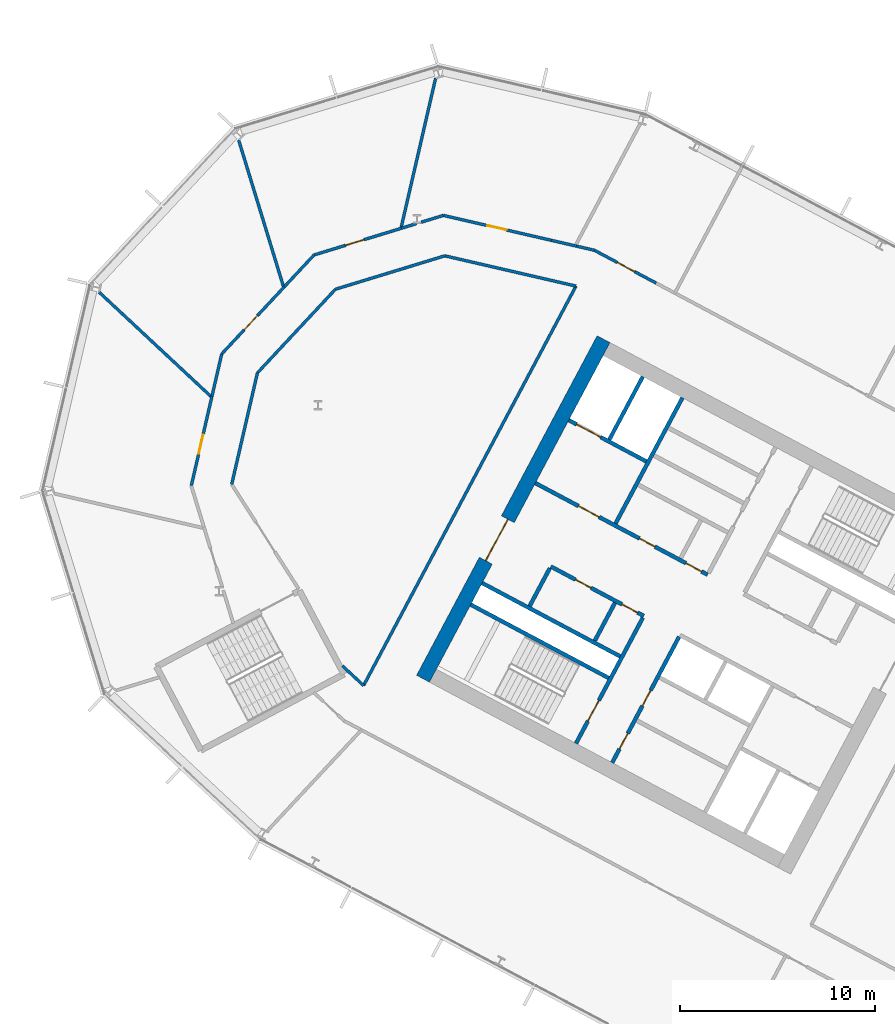
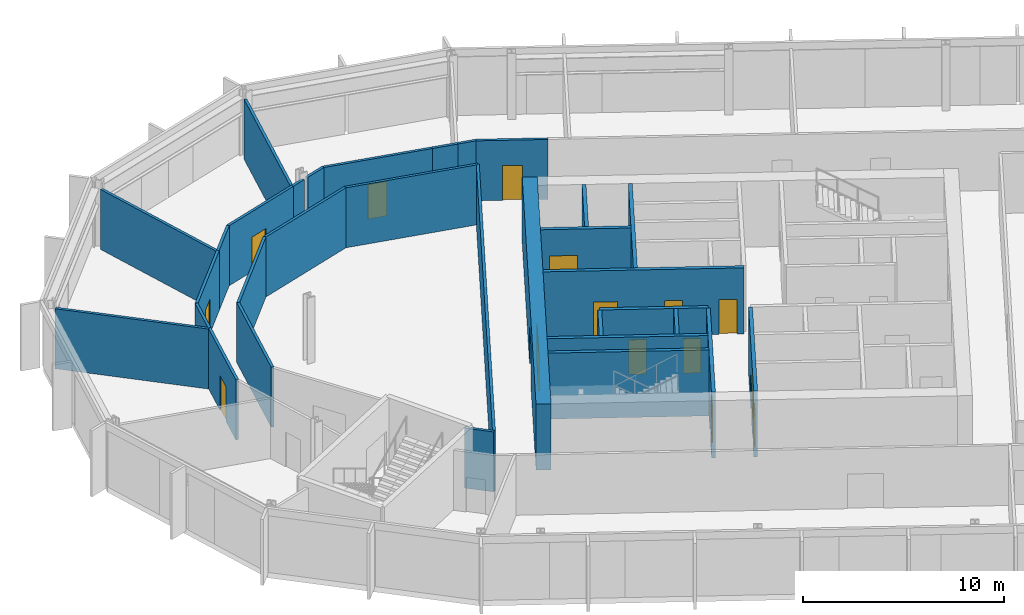
# One storey, part 14 of 28: 32 walls, 15 doors, 15 openings.
"""IFC4 building model written with IfcOpenShell, lengths in metres."""

from ifc_helpers import new_model, si_unit, direction, frame, frame_2d, origin, place, context, subcontext, project, spatial, rectangle, extrude, material, layer, layer_set, type_object, element, fill, save


model = new_model("IFC4")

# Units and contexts
model_context = context("Model", 3, precision=1e-05, world=origin(), true_north=direction((0.0, 1.0)))
body_context = subcontext(model_context, "Body", "Model", "MODEL_VIEW")
ifc_project = project(units=[si_unit("LENGTHUNIT", "METRE"), si_unit("AREAUNIT", "SQUARE_METRE"), si_unit("VOLUMEUNIT", "CUBIC_METRE"), si_unit("PLANEANGLEUNIT", "RADIAN"), si_unit("MASSUNIT", "GRAM", prefix="KILO")], contexts=[model_context])

# Site, building, storey
site_placement = place(None, origin())
site = spatial("IfcSite", under=ifc_project, at=site_placement, CompositionType="ELEMENT")
building_placement = place(site_placement, origin())
building = spatial("IfcBuilding", under=site, at=building_placement, Name="Cormorant Relay Tower", CompositionType="ELEMENT")
storey_placement = place(building_placement, frame((0.0, 0.0, 170.199951171875)))
storey = spatial("IfcBuildingStorey", under=building, at=storey_placement, Name="L36", CompositionType="ELEMENT", Elevation=170.199951171875)

# Wall
ifc_material_1 = material(Name="Concrete 40 MPa", Category="concrete")
ifc_layer_1 = layer(ifc_material_1, 0.199951171875)
ifc_layer_set_1 = layer_set([ifc_layer_1], Name="Core internal wall 200")
wall_type_1 = type_object("IfcWallType", Name="Core internal wall 200", PredefinedType="SOLIDWALL", material=ifc_layer_set_1)
wall_1_placement = place(storey_placement, frame((-31.41259765625, 14.663818359375, 0.0), z_axis=(0.0, 0.0, 1.0), x_axis=(-0.469533832133, -0.882914480843, 0.0)))
element("IfcWall", 1, at=wall_1_placement, inside=storey, type_object=wall_type_1, Name="L36 core A shaft and room wall", PredefinedType="SOLIDWALL", context=body_context, shape_type="SweptSolid", body=[
    extrude(rectangle(XDim=2.199951171875, YDim=0.199951171875, at=frame_2d((1.10009765625, 0.0))), origin(), (0.0, 0.0, 1.0), 4.0),
])

# Wall, openings, doors
ifc_material_2 = material(Name="Concrete 50 MPa", Category="concrete")
ifc_layer_2 = layer(ifc_material_2, 0.199951171875)
ifc_layer_set_2 = layer_set([ifc_layer_2], Name="Core shaft wall 200")
wall_type_2 = type_object("IfcWallType", Name="Core shaft wall 200", PredefinedType="SHEAR", material=ifc_layer_set_2)
wall_2_placement = place(storey_placement, frame((-28.128173828125, 12.91748046875, 0.0), z_axis=(0.0, 0.0, 1.0), x_axis=(-0.469454336211, -0.882956752176, 0.0)))
wall_2 = element("IfcWall", 2, at=wall_2_placement, inside=storey, type_object=wall_type_2, Name="L36 core A shaft wall", PredefinedType="SHEAR", context=body_context, shape_type="SweptSolid", body=[
    extrude(rectangle(XDim=7.300048828125, YDim=0.199951171875, at=frame_2d((3.64990234375, 0.0))), origin(), (0.0, 0.0, 1.0), 4.0),
])
opening_1_placement = place(wall_2_placement, frame((3.10009765625, 0.0, 0.0)))
opening_1 = element("IfcOpeningElement", 3, at=opening_1_placement, cuts=wall_2, Name="Opening CDD-210", PredefinedType="OPENING", context=body_context, shape_type="SweptSolid", body=[
    extrude(rectangle(XDim=0.89990234375, YDim=2.10009765625, at=frame_2d((0.449951171875, 1.050048828125))), frame((0.0, 0.10986328125, 0.0), z_axis=(0.0, -1.0, 0.0), x_axis=(1.0, 0.0, 0.0)), (0.0, 0.0, 1.0), 0.219970703125),
])
opening_2_placement = place(wall_2_placement, frame((5.60009765625, 0.0, 0.0)))
opening_2 = element("IfcOpeningElement", 4, at=opening_2_placement, cuts=wall_2, Name="Opening CDD-211", PredefinedType="OPENING", context=body_context, shape_type="SweptSolid", body=[
    extrude(rectangle(XDim=0.89990234375, YDim=2.10009765625, at=frame_2d((0.449951171875, 1.050048828125))), frame((0.0, 0.10986328125, 0.0), z_axis=(0.0, -1.0, 0.0), x_axis=(1.0, 0.0, 0.0)), (0.0, 0.0, 1.0), 0.219970703125),
])
ifc_material_3 = material(Name="Steel fire door", Category="steel")
door_type_1 = type_object("IfcDoorType", Name="Core room door 900x2100", OperationType="SINGLE_SWING_LEFT", PredefinedType="DOOR", material=ifc_material_3)
door_1_placement = place(opening_1_placement, origin())
door_1 = element("IfcDoor", 5, at=door_1_placement, inside=storey, type_object=door_type_1, Name="Core room door 900x2100", OperationType="SINGLE_SWING_LEFT", OverallHeight=2.10009765625, OverallWidth=0.89990234375, PredefinedType="DOOR", context=body_context, shape_type="SweptSolid", body=[
    extrude(rectangle(XDim=0.89990234375, YDim=2.10009765625, at=frame_2d((0.449951171875, 1.050048828125))), frame((0.0, 0.02490234375, 0.0), z_axis=(0.0, -1.0, 0.0), x_axis=(1.0, 0.0, 0.0)), (0.0, 0.0, 1.0), 0.050048828125),
])
fill(opening_1, door_1)
door_2_placement = place(opening_2_placement, origin())
door_2 = element("IfcDoor", 6, at=door_2_placement, inside=storey, type_object=door_type_1, Name="Core room door 900x2100", OperationType="SINGLE_SWING_LEFT", OverallHeight=2.10009765625, OverallWidth=0.89990234375, PredefinedType="DOOR", context=body_context, shape_type="SweptSolid", body=[
    extrude(rectangle(XDim=0.89990234375, YDim=2.10009765625, at=frame_2d((0.449951171875, 1.050048828125))), frame((0.0, 0.02490234375, 0.0), z_axis=(0.0, -1.0, 0.0), x_axis=(1.0, 0.0, 0.0)), (0.0, 0.0, 1.0), 0.050048828125),
])
fill(opening_2, door_2)

# Wall, opening, door
wall_3_placement = place(storey_placement, frame((-29.982421875, 13.9033203125, 0.0), z_axis=(0.0, 0.0, 1.0), x_axis=(-0.469454336211, -0.882956752176, 0.0)))
wall_3 = element("IfcWall", 7, at=wall_3_placement, inside=storey, type_object=wall_type_2, Name="L36 core A shaft wall", PredefinedType="SHEAR", context=body_context, shape_type="SweptSolid", body=[
    extrude(rectangle(XDim=7.300048828125, YDim=0.199951171875, at=frame_2d((3.64990234375, 0.0))), origin(), (0.0, 0.0, 1.0), 4.0),
])
opening_3_placement = place(wall_3_placement, frame((4.800048828125, 0.0, 0.0)))
opening_3 = element("IfcOpeningElement", 8, at=opening_3_placement, cuts=wall_3, Name="Opening CDB-035", PredefinedType="OPENING", context=body_context, shape_type="SweptSolid", body=[
    extrude(rectangle(XDim=1.199951171875, YDim=2.10009765625, at=frame_2d((0.60009765625, 1.050048828125))), frame((0.0, 0.10986328125, 0.0), z_axis=(0.0, -1.0, 0.0), x_axis=(1.0, 0.0, 0.0)), (0.0, 0.0, 1.0), 0.219970703125),
])
ifc_material_4 = material(Name="Steel fire door", Category="steel")
door_type_2 = type_object("IfcDoorType", Name="Core stair door 1200x2100", OperationType="SINGLE_SWING_LEFT", PredefinedType="DOOR", material=ifc_material_4)
door_3_placement = place(opening_3_placement, frame((1.199951171875, 0.0, 0.0), z_axis=(0.0, 0.0, 1.0), x_axis=(-1.0, 0.0, 0.0)))
door_3 = element("IfcDoor", 9, at=door_3_placement, inside=storey, type_object=door_type_2, Name="Core stair door 1200x2100", OperationType="SINGLE_SWING_RIGHT", OverallHeight=2.10009765625, OverallWidth=1.199951171875, PredefinedType="DOOR", context=body_context, shape_type="SweptSolid", body=[
    extrude(rectangle(XDim=1.199951171875, YDim=2.10009765625, at=frame_2d((0.60009765625, 1.050048828125))), frame((0.0, 0.02490234375, 0.0), z_axis=(0.0, -1.0, 0.0), x_axis=(1.0, 0.0, 0.0)), (0.0, 0.0, 1.0), 0.050048828125),
])
fill(opening_3, door_3)

# Walls
wall_4_placement = place(storey_placement, frame((-27.955322265625, 25.170654296875, 0.0), z_axis=(0.0, 0.0, 1.0), x_axis=(-0.469480409012, -0.88294288918, 0.0)))
element("IfcWall", 10, at=wall_4_placement, inside=storey, type_object=wall_type_2, Name="L36 core A shaft wall", PredefinedType="SHEAR", context=body_context, shape_type="SweptSolid", body=[
    extrude(rectangle(XDim=7.300048828125, YDim=0.199951171875, at=frame_2d((3.64990234375, 0.0))), origin(), (0.0, 0.0, 1.0), 4.0),
])
wall_5_placement = place(storey_placement, frame((-34.750244140625, 16.4384765625, 0.0), z_axis=(0.0, 0.0, 1.0), x_axis=(-0.469401318492, -0.882984938828, 0.0)))
element("IfcWall", 11, at=wall_5_placement, inside=storey, type_object=wall_type_2, Name="L36 core A shaft wall", PredefinedType="SHEAR", context=body_context, shape_type="SweptSolid", body=[
    extrude(rectangle(XDim=2.199951171875, YDim=0.199951171875, at=frame_2d((1.10009765625, 0.0))), origin(), (0.0, 0.0, 1.0), 4.0),
])
wall_6_placement = place(storey_placement, frame((-29.986083984375, 26.250244140625, 0.0), z_axis=(0.0, 0.0, 1.0), x_axis=(-0.469494272526, -0.882935517501, 0.0)))
element("IfcWall", 12, at=wall_6_placement, inside=storey, type_object=wall_type_2, Name="L36 core A shaft wall", PredefinedType="SHEAR", context=body_context, shape_type="SweptSolid", body=[
    extrude(rectangle(XDim=3.64990234375, YDim=0.199951171875, at=frame_2d((1.824951171875, 0.0))), origin(), (0.0, 0.0, 1.0), 4.0),
])

# Wall, opening, door
wall_7_placement = place(storey_placement, frame((-29.80419921875, 21.906494140625, 0.0), z_axis=(0.0, 0.0, 1.0), x_axis=(-0.882960433586, 0.469447412093, 0.0)))
wall_7 = element("IfcWall", 13, at=wall_7_placement, inside=storey, type_object=wall_type_2, Name="L36 core A shaft wall", PredefinedType="SHEAR", context=body_context, shape_type="SweptSolid", body=[
    extrude(rectangle(XDim=4.5, YDim=0.199951171875, at=frame_2d((2.25, 0.0))), origin(), (0.0, 0.0, 1.0), 4.0),
])
opening_4_placement = place(wall_7_placement, frame((2.64990234375, 0.0, 0.0)))
opening_4 = element("IfcOpeningElement", 14, at=opening_4_placement, cuts=wall_7, Name="Opening LD3-013", PredefinedType="OPENING", context=body_context, shape_type="SweptSolid", body=[
    extrude(rectangle(XDim=1.39990234375, YDim=2.39990234375, at=frame_2d((0.699951171875, 1.199951171875))), frame((0.0, 0.10986328125, 0.0), z_axis=(0.0, -1.0, 0.0), x_axis=(1.0, 0.0, 0.0)), (0.0, 0.0, 1.0), 0.219970703125),
])
ifc_material_5 = material(Name="Stainless steel 316", Category="steel")
door_type_3 = type_object("IfcDoorType", Name="Lift landing door 1400x2400", OperationType="DOUBLE_DOOR_SLIDING", PredefinedType="DOOR", material=ifc_material_5)
door_4_placement = place(opening_4_placement, origin())
door_4 = element("IfcDoor", 15, at=door_4_placement, inside=storey, type_object=door_type_3, Name="SV1 landing door", OperationType="DOUBLE_DOOR_SLIDING", OverallHeight=2.39990234375, OverallWidth=1.39990234375, PredefinedType="DOOR", context=body_context, shape_type="SweptSolid", body=[
    extrude(rectangle(XDim=1.39990234375, YDim=2.39990234375, at=frame_2d((0.699951171875, 1.199951171875))), frame((0.0, 0.02490234375, 0.0), z_axis=(0.0, -1.0, 0.0), x_axis=(1.0, 0.0, 0.0)), (0.0, 0.0, 1.0), 0.050048828125),
])
fill(opening_4, door_4)

# Wall, openings, doors
wall_8_placement = place(storey_placement, frame((-26.66162109375, 16.1015625, 0.0), z_axis=(0.0, 0.0, 1.0), x_axis=(-0.882940221191, 0.469485426614, 0.0)))
wall_8 = element("IfcWall", 16, at=wall_8_placement, inside=storey, type_object=wall_type_2, Name="L36 core A shaft wall", PredefinedType="SHEAR", context=body_context, shape_type="SweptSolid", body=[
    extrude(rectangle(XDim=10.0, YDim=0.199951171875, at=frame_2d((5.0, 0.0))), origin(), (0.0, 0.0, 1.0), 4.0),
])
opening_5_placement = place(wall_8_placement, frame((6.300048828125, 0.0, 0.0)))
opening_5 = element("IfcOpeningElement", 17, at=opening_5_placement, cuts=wall_8, Name="Opening CDC-026", PredefinedType="OPENING", context=body_context, shape_type="SweptSolid", body=[
    extrude(rectangle(XDim=1.199951171875, YDim=2.10009765625, at=frame_2d((0.60009765625, 1.050048828125))), frame((0.0, 0.10986328125, 0.0), z_axis=(0.0, -1.0, 0.0), x_axis=(1.0, 0.0, 0.0)), (0.0, 0.0, 1.0), 0.219970703125),
])
opening_6_placement = place(wall_8_placement, frame((0.360107421875, 0.0, 0.0)))
opening_6 = element("IfcOpeningElement", 18, at=opening_6_placement, cuts=wall_8, Name="Opening CDD-170", PredefinedType="OPENING", context=body_context, shape_type="SweptSolid", body=[
    extrude(rectangle(XDim=0.89990234375, YDim=2.10009765625, at=frame_2d((0.449951171875, 1.050048828125))), frame((0.0, 0.10986328125, 0.0), z_axis=(0.0, -1.0, 0.0), x_axis=(1.0, 0.0, 0.0)), (0.0, 0.0, 1.0), 0.219970703125),
])
opening_7_placement = place(wall_8_placement, frame((3.06005859375, 0.0, 0.0)))
opening_7 = element("IfcOpeningElement", 19, at=opening_7_placement, cuts=wall_8, Name="Opening CDD-171", PredefinedType="OPENING", context=body_context, shape_type="SweptSolid", body=[
    extrude(rectangle(XDim=0.89990234375, YDim=2.10009765625, at=frame_2d((0.449951171875, 1.050048828125))), frame((0.0, 0.10986328125, 0.0), z_axis=(0.0, -1.0, 0.0), x_axis=(1.0, 0.0, 0.0)), (0.0, 0.0, 1.0), 0.219970703125),
])
ifc_material_6 = material(Name="Steel fire door", Category="steel")
door_type_4 = type_object("IfcDoorType", Name="Core lobby door 1200x2100", OperationType="SINGLE_SWING_LEFT", PredefinedType="DOOR", material=ifc_material_6)
door_5_placement = place(opening_5_placement, origin())
door_5 = element("IfcDoor", 20, at=door_5_placement, inside=storey, type_object=door_type_4, Name="Core lobby door 1200x2100", OperationType="SINGLE_SWING_LEFT", OverallHeight=2.10009765625, OverallWidth=1.199951171875, PredefinedType="DOOR", context=body_context, shape_type="SweptSolid", body=[
    extrude(rectangle(XDim=1.199951171875, YDim=2.10009765625, at=frame_2d((0.60009765625, 1.050048828125))), frame((0.0, 0.02490234375, 0.0), z_axis=(0.0, -1.0, 0.0), x_axis=(1.0, 0.0, 0.0)), (0.0, 0.0, 1.0), 0.050048828125),
])
fill(opening_5, door_5)
door_6_placement = place(opening_6_placement, origin())
door_6 = element("IfcDoor", 21, at=door_6_placement, inside=storey, type_object=door_type_1, Name="Core room door 900x2100", OperationType="SINGLE_SWING_LEFT", OverallHeight=2.10009765625, OverallWidth=0.89990234375, PredefinedType="DOOR", context=body_context, shape_type="SweptSolid", body=[
    extrude(rectangle(XDim=0.89990234375, YDim=2.10009765625, at=frame_2d((0.449951171875, 1.050048828125))), frame((0.0, 0.02490234375, 0.0), z_axis=(0.0, -1.0, 0.0), x_axis=(1.0, 0.0, 0.0)), (0.0, 0.0, 1.0), 0.050048828125),
])
fill(opening_6, door_6)
door_7_placement = place(opening_7_placement, origin())
door_7 = element("IfcDoor", 22, at=door_7_placement, inside=storey, type_object=door_type_1, Name="Core room door 900x2100", OperationType="SINGLE_SWING_LEFT", OverallHeight=2.10009765625, OverallWidth=0.89990234375, PredefinedType="DOOR", context=body_context, shape_type="SweptSolid", body=[
    extrude(rectangle(XDim=0.89990234375, YDim=2.10009765625, at=frame_2d((0.449951171875, 1.050048828125))), frame((0.0, 0.02490234375, 0.0), z_axis=(0.0, -1.0, 0.0), x_axis=(1.0, 0.0, 0.0)), (0.0, 0.0, 1.0), 0.050048828125),
])
fill(opening_7, door_7)

wall_9_placement = place(storey_placement, frame((-29.935302734375, 13.991455078125, 0.0), z_axis=(0.0, 0.0, 1.0), x_axis=(-0.882952937579, 0.469461510692, 0.0)))
wall_9 = element("IfcWall", 23, at=wall_9_placement, inside=storey, type_object=wall_type_2, Name="L36 core A shaft wall", PredefinedType="SHEAR", context=body_context, shape_type="SweptSolid", body=[
    extrude(rectangle(XDim=5.400146484375, YDim=0.199951171875, at=frame_2d((2.7001953125, 0.0))), origin(), (0.0, 0.0, 1.0), 4.0),
])
opening_8_placement = place(wall_9_placement, frame((0.360107421875, 0.0, 0.0)))
opening_8 = element("IfcOpeningElement", 24, at=opening_8_placement, cuts=wall_9, Name="Opening CDD-166", PredefinedType="OPENING", context=body_context, shape_type="SweptSolid", body=[
    extrude(rectangle(XDim=0.89990234375, YDim=2.10009765625, at=frame_2d((0.449951171875, 1.050048828125))), frame((0.0, 0.10986328125, 0.0), z_axis=(0.0, -1.0, 0.0), x_axis=(1.0, 0.0, 0.0)), (0.0, 0.0, 1.0), 0.219970703125),
])
opening_9_placement = place(wall_9_placement, frame((3.06005859375, 0.0, 0.0)))
opening_9 = element("IfcOpeningElement", 25, at=opening_9_placement, cuts=wall_9, Name="Opening CDD-167", PredefinedType="OPENING", context=body_context, shape_type="SweptSolid", body=[
    extrude(rectangle(XDim=0.89990234375, YDim=2.10009765625, at=frame_2d((0.449951171875, 1.050048828125))), frame((0.0, 0.10986328125, 0.0), z_axis=(0.0, -1.0, 0.0), x_axis=(1.0, 0.0, 0.0)), (0.0, 0.0, 1.0), 0.219970703125),
])
door_8_placement = place(opening_8_placement, origin())
door_8 = element("IfcDoor", 26, at=door_8_placement, inside=storey, type_object=door_type_1, Name="Core room door 900x2100", OperationType="SINGLE_SWING_LEFT", OverallHeight=2.10009765625, OverallWidth=0.89990234375, PredefinedType="DOOR", context=body_context, shape_type="SweptSolid", body=[
    extrude(rectangle(XDim=0.89990234375, YDim=2.10009765625, at=frame_2d((0.449951171875, 1.050048828125))), frame((0.0, 0.02490234375, 0.0), z_axis=(0.0, -1.0, 0.0), x_axis=(1.0, 0.0, 0.0)), (0.0, 0.0, 1.0), 0.050048828125),
])
fill(opening_8, door_8)
door_9_placement = place(opening_9_placement, origin())
door_9 = element("IfcDoor", 27, at=door_9_placement, inside=storey, type_object=door_type_1, Name="Core room door 900x2100", OperationType="SINGLE_SWING_LEFT", OverallHeight=2.10009765625, OverallWidth=0.89990234375, PredefinedType="DOOR", context=body_context, shape_type="SweptSolid", body=[
    extrude(rectangle(XDim=0.89990234375, YDim=2.10009765625, at=frame_2d((0.449951171875, 1.050048828125))), frame((0.0, 0.02490234375, 0.0), z_axis=(0.0, -1.0, 0.0), x_axis=(1.0, 0.0, 0.0)), (0.0, 0.0, 1.0), 0.050048828125),
])
fill(opening_9, door_9)

# Walls
for number, where, z_axis, x_axis, name in (
    (28, (-31.150390625, 11.91943359375, 0.0), (0.0, 0.0, 1.0), (-0.882940221191, 0.469485426614, 0.0), "L36 core A shaft wall"),
    (29, (-31.7373046875, 10.815673828125, 0.0), (0.0, 0.0, 1.0), (-0.882940221191, 0.469485426614, 0.0), "L36 core A shaft wall"),
):
    element("IfcWall", number, at=place(storey_placement, frame(where, z_axis=z_axis, x_axis=x_axis)), inside=storey, type_object=wall_type_2, Name=name, PredefinedType="SHEAR", context=body_context, shape_type="SweptSolid", body=[
        extrude(rectangle(XDim=8.0, YDim=0.199951171875, at=frame_2d((4.0, 0.0))), origin(), (0.0, 0.0, 1.0), 4.0),
    ])

# Wall, opening, door
ifc_material_7 = material(Name="Concrete 60 MPa", Category="concrete")
ifc_layer_3 = layer(ifc_material_7, 0.75)
ifc_layer_set_3 = layer_set([ifc_layer_3], Name="Core wall 750")
wall_type_3 = type_object("IfcWallType", Name="Core wall 750", PredefinedType="SHEAR", material=ifc_layer_set_3)
wall_10_placement = place(storey_placement, frame((-31.995849609375, 28.16845703125, 0.0), z_axis=(0.0, 0.0, 1.0), x_axis=(-0.469479580143, -0.882943329908, 0.0)))
wall_10 = element("IfcWall", 30, at=wall_10_placement, inside=storey, type_object=wall_type_3, Name="L36 core A wall", PredefinedType="SHEAR", context=body_context, shape_type="SweptSolid", body=[
    extrude(rectangle(XDim=19.699951171875, YDim=0.75, at=frame_2d((9.85009765625, 0.0))), origin(), (0.0, 0.0, 1.0), 4.0),
])
opening_10_placement = place(wall_10_placement, frame((10.449951171875, 0.0, 0.0)))
opening_10 = element("IfcOpeningElement", 31, at=opening_10_placement, cuts=wall_10, Name="Opening CDA-027", PredefinedType="OPENING", context=body_context, shape_type="SweptSolid", body=[
    extrude(rectangle(XDim=2.39990234375, YDim=2.39990234375, at=frame_2d((1.199951171875, 1.199951171875))), frame((0.0, 0.385009765625, 0.0), z_axis=(0.0, -1.0, 0.0), x_axis=(1.0, 0.0, 0.0)), (0.0, 0.0, 1.0), 0.77001953125),
])
ifc_material_8 = material(Name="Steel fire door", Category="steel")
door_type_5 = type_object("IfcDoorType", Name="Core lobby door 2400x2400", OperationType="DOUBLE_DOOR_SINGLE_SWING", PredefinedType="DOOR", material=ifc_material_8)
door_10_placement = place(opening_10_placement, origin())
door_10 = element("IfcDoor", 32, at=door_10_placement, inside=storey, type_object=door_type_5, Name="Core lobby door 2400x2400", OperationType="DOUBLE_DOOR_SINGLE_SWING", OverallHeight=2.39990234375, OverallWidth=2.39990234375, PredefinedType="DOOR", context=body_context, shape_type="SweptSolid", body=[
    extrude(rectangle(XDim=2.39990234375, YDim=2.39990234375, at=frame_2d((1.199951171875, 1.199951171875))), frame((0.0, 0.02490234375, 0.0), z_axis=(0.0, -1.0, 0.0), x_axis=(1.0, 0.0, 0.0)), (0.0, 0.0, 1.0), 0.050048828125),
])
fill(opening_10, door_10)

ifc_material_9 = material(Name="Gypsum board fire partition")
ifc_layer_4 = layer(ifc_material_9, 0.14990234375)
ifc_layer_set_4 = layer_set([ifc_layer_4], Name="Corridor partition 150 EI 60")
wall_type_4 = type_object("IfcWallType", Name="Corridor partition 150 EI 60", PredefinedType="PARTITIONING", material=ifc_layer_set_4)
wall_11_placement = place(storey_placement, frame((-52.055908203125, 25.24609375, 0.0), z_axis=(0.0, 0.0, 1.0), x_axis=(-0.224961765576, -0.97436759184, 0.0)))
wall_11 = element("IfcWall", 33, at=wall_11_placement, inside=storey, type_object=wall_type_4, Name="wall/L36/part/004", PredefinedType="PARTITIONING", context=body_context, shape_type="SweptSolid", body=[
    extrude(rectangle(XDim=4.707763671875, YDim=0.14990234375, at=frame_2d((2.35400390625, 0.0))), origin(), (0.0, 0.0, 1.0), 3.64013671875),
])
opening_11_placement = place(wall_11_placement, frame((2.02392578125, 0.0, 0.0)))
opening_11 = element("IfcOpeningElement", 34, at=opening_11_placement, cuts=wall_11, Name="Opening DS-011", PredefinedType="OPENING", context=body_context, shape_type="SweptSolid", body=[
    extrude(rectangle(XDim=1.0, YDim=2.10009765625, at=frame_2d((0.5, 1.050048828125))), frame((0.0, 0.0849609375, 0.0), z_axis=(0.0, -1.0, 0.0), x_axis=(1.0, 0.0, 0.0)), (0.0, 0.0, 1.0), 0.169921875),
])
ifc_material_10 = material(Name="Timber door leaf", Category="wood")
door_type_6 = type_object("IfcDoorType", Name="Suite door 1000x2100", OperationType="SINGLE_SWING_LEFT", PredefinedType="DOOR", material=ifc_material_10)
door_11_placement = place(opening_11_placement, frame((1.0, 0.0, 0.0), z_axis=(0.0, 0.0, 1.0), x_axis=(-1.0, 0.0, 0.0)))
door_11 = element("IfcDoor", 35, at=door_11_placement, inside=storey, type_object=door_type_6, Name="door/L36/014", OperationType="SINGLE_SWING_RIGHT", OverallHeight=2.10009765625, OverallWidth=1.0, PredefinedType="DOOR", context=body_context, shape_type="SweptSolid", body=[
    extrude(rectangle(XDim=1.0, YDim=2.10009765625, at=frame_2d((0.5, 1.050048828125))), frame((0.0, 0.02490234375, 0.0), z_axis=(0.0, -1.0, 0.0), x_axis=(1.0, 0.0, 0.0)), (0.0, 0.0, 1.0), 0.050048828125),
])
fill(opening_11, door_11)

wall_12_placement = place(storey_placement, frame((-48.344970703125, 30.85595703125, 0.0), z_axis=(0.0, 0.0, 1.0), x_axis=(-0.682044743799, -0.731310445335, 0.0)))
wall_12 = element("IfcWall", 36, at=wall_12_placement, inside=storey, type_object=wall_type_4, Name="wall/L36/part/008", PredefinedType="PARTITIONING", context=body_context, shape_type="SweptSolid", body=[
    extrude(rectangle(XDim=4.707763671875, YDim=0.14990234375, at=frame_2d((2.35400390625, 0.0))), origin(), (0.0, 0.0, 1.0), 3.64013671875),
])
opening_12_placement = place(wall_12_placement, frame((2.02392578125, 0.0, 0.0)))
opening_12 = element("IfcOpeningElement", 37, at=opening_12_placement, cuts=wall_12, Name="Opening DS-010", PredefinedType="OPENING", context=body_context, shape_type="SweptSolid", body=[
    extrude(rectangle(XDim=1.0, YDim=2.10009765625, at=frame_2d((0.5, 1.050048828125))), frame((0.0, 0.0849609375, 0.0), z_axis=(0.0, -1.0, 0.0), x_axis=(1.0, 0.0, 0.0)), (0.0, 0.0, 1.0), 0.169921875),
])
door_12_placement = place(opening_12_placement, frame((1.0, 0.0, 0.0), z_axis=(0.0, 0.0, 1.0), x_axis=(-1.0, 0.0, 0.0)))
door_12 = element("IfcDoor", 38, at=door_12_placement, inside=storey, type_object=door_type_6, Name="door/L36/013", OperationType="SINGLE_SWING_RIGHT", OverallHeight=2.10009765625, OverallWidth=1.0, PredefinedType="DOOR", context=body_context, shape_type="SweptSolid", body=[
    extrude(rectangle(XDim=1.0, YDim=2.10009765625, at=frame_2d((0.5, 1.050048828125))), frame((0.0, 0.02490234375, 0.0), z_axis=(0.0, -1.0, 0.0), x_axis=(1.0, 0.0, 0.0)), (0.0, 0.0, 1.0), 0.050048828125),
])
fill(opening_12, door_12)

# Wall
wall_13_placement = place(storey_placement, frame((-51.555908203125, 27.4130859375, 0.0), z_axis=(0.0, 0.0, 1.0), x_axis=(-0.225019992363, -0.974354146621, 0.0)))
element("IfcWall", 39, at=wall_13_placement, inside=storey, type_object=wall_type_4, Name="wall/L36/part/009", PredefinedType="PARTITIONING", context=body_context, shape_type="SweptSolid", body=[
    extrude(rectangle(XDim=2.221923828125, YDim=0.14990234375, at=frame_2d((1.11083984375, 0.0))), origin(), (0.0, 0.0, 1.0), 3.64013671875),
])

# Wall, opening, door
wall_14_placement = place(storey_placement, frame((-42.325927734375, 33.85791015625, 0.0), z_axis=(0.0, 0.0, 1.0), x_axis=(-0.956351168554, -0.292219852858, 0.0)))
wall_14 = element("IfcWall", 40, at=wall_14_placement, inside=storey, type_object=wall_type_4, Name="wall/L36/part/013", PredefinedType="PARTITIONING", context=body_context, shape_type="SweptSolid", body=[
    extrude(rectangle(XDim=4.708740234375, YDim=0.14990234375, at=frame_2d((2.3544921875, 0.0))), origin(), (0.0, 0.0, 1.0), 3.64013671875),
])
opening_13_placement = place(wall_14_placement, frame((2.02490234375, 0.0, 0.0)))
opening_13 = element("IfcOpeningElement", 41, at=opening_13_placement, cuts=wall_14, Name="Opening DS-009", PredefinedType="OPENING", context=body_context, shape_type="SweptSolid", body=[
    extrude(rectangle(XDim=1.0, YDim=2.10009765625, at=frame_2d((0.5, 1.050048828125))), frame((0.0, 0.0849609375, 0.0), z_axis=(0.0, -1.0, 0.0), x_axis=(1.0, 0.0, 0.0)), (0.0, 0.0, 1.0), 0.169921875),
])
door_13_placement = place(opening_13_placement, frame((1.0, 0.0, 0.0), z_axis=(0.0, 0.0, 1.0), x_axis=(-1.0, 0.0, 0.0)))
door_13 = element("IfcDoor", 42, at=door_13_placement, inside=storey, type_object=door_type_6, Name="door/L36/012", OperationType="SINGLE_SWING_RIGHT", OverallHeight=2.10009765625, OverallWidth=1.0, PredefinedType="DOOR", context=body_context, shape_type="SweptSolid", body=[
    extrude(rectangle(XDim=1.0, YDim=2.10009765625, at=frame_2d((0.5, 1.050048828125))), frame((0.0, 0.02490234375, 0.0), z_axis=(0.0, -1.0, 0.0), x_axis=(1.0, 0.0, 0.0)), (0.0, 0.0, 1.0), 0.050048828125),
])
fill(opening_13, door_13)

# Walls
wall_15_placement = place(storey_placement, frame((-46.8291015625, 32.48193359375, 0.0), z_axis=(0.0, 0.0, 1.0), x_axis=(-0.681891349178, -0.731453476249, 0.0)))
element("IfcWall", 43, at=wall_15_placement, inside=storey, type_object=wall_type_4, Name="wall/L36/part/014", PredefinedType="PARTITIONING", context=body_context, shape_type="SweptSolid", body=[
    extrude(rectangle(XDim=2.2216796875, YDim=0.14990234375, at=frame_2d((1.11083984375, 0.0))), origin(), (0.0, 0.0, 1.0), 3.64013671875),
])
wall_16_placement = place(storey_placement, frame((-51.0458984375, 20.73095703125, 0.0), z_axis=(0.0, 0.0, 1.0), x_axis=(0.224889933684, 0.974384173582, 0.0)))
element("IfcWall", 44, at=wall_16_placement, inside=storey, type_object=wall_type_4, Name="wall/L36/part/016", PredefinedType="PARTITIONING", context=body_context, shape_type="SweptSolid", body=[
    extrude(rectangle(XDim=5.860107421875, YDim=0.14990234375, at=frame_2d((2.93017578125, 0.0))), origin(), (0.0, 0.0, 1.0), 3.64013671875),
])
wall_17_placement = place(storey_placement, frame((-49.72802734375, 26.44091796875, 0.0), z_axis=(0.0, 0.0, 1.0), x_axis=(0.682098526533, 0.731260282049, 0.0)))
element("IfcWall", 45, at=wall_17_placement, inside=storey, type_object=wall_type_4, Name="wall/L36/part/017", PredefinedType="PARTITIONING", context=body_context, shape_type="SweptSolid", body=[
    extrude(rectangle(XDim=5.85986328125, YDim=0.14990234375, at=frame_2d((2.929931640625, 0.0))), origin(), (0.0, 0.0, 1.0), 3.64013671875),
])
wall_18_placement = place(storey_placement, frame((-45.73095703125, 30.72607421875, 0.0), z_axis=(0.0, 0.0, 1.0), x_axis=(0.956310804041, 0.292351921619, 0.0)))
element("IfcWall", 46, at=wall_18_placement, inside=storey, type_object=wall_type_4, Name="wall/L36/part/018", PredefinedType="PARTITIONING", context=body_context, shape_type="SweptSolid", body=[
    extrude(rectangle(XDim=5.85888671875, YDim=0.14990234375, at=frame_2d((2.929443359375, 0.0))), origin(), (0.0, 0.0, 1.0), 3.64013671875),
])
wall_19_placement = place(storey_placement, frame((-40.1279296875, 32.43896484375, 0.0), z_axis=(0.0, 0.0, 1.0), x_axis=(0.97437567891, -0.224926735515, 0.0)))
element("IfcWall", 47, at=wall_19_placement, inside=storey, type_object=wall_type_4, Name="wall/L36/part/019", PredefinedType="PARTITIONING", context=body_context, shape_type="SweptSolid", body=[
    extrude(rectangle(XDim=6.895751953125, YDim=0.14990234375, at=frame_2d((3.44775390625, 0.0))), origin(), (0.0, 0.0, 1.0), 3.64013671875),
])
wall_20_placement = place(storey_placement, frame((-33.408935546875, 30.887939453125, 0.0), z_axis=(0.0, 0.0, 1.0), x_axis=(-0.469498189487, -0.882933434676, 0.0)))
element("IfcWall", 48, at=wall_20_placement, inside=storey, type_object=wall_type_4, Name="wall/L36/part/020", PredefinedType="PARTITIONING", context=body_context, shape_type="SweptSolid", body=[
    extrude(rectangle(XDim=23.176025390625, YDim=0.14990234375, at=frame_2d((11.587890625, 0.0))), origin(), (0.0, 0.0, 1.0), 3.64013671875),
])
wall_21_placement = place(storey_placement, frame((-44.2900390625, 10.425048828125, 0.0), z_axis=(0.0, 0.0, 1.0), x_axis=(-0.731652828982, 0.681677444135, 0.0)))
element("IfcWall", 49, at=wall_21_placement, inside=storey, type_object=wall_type_4, Name="wall/L36/part/021", PredefinedType="PARTITIONING", context=body_context, shape_type="SweptSolid", body=[
    extrude(rectangle(XDim=1.480224609375, YDim=0.14990234375, at=frame_2d((0.740234375, 0.0))), origin(), (0.0, 0.0, 1.0), 3.64013671875),
])

# Wall, opening, door
wall_22_placement = place(storey_placement, frame((-34.677001953125, 33.23388671875, 0.0), z_axis=(0.0, 0.0, 1.0), x_axis=(-0.974367234575, 0.224963312978, 0.0)))
wall_22 = element("IfcWall", 50, at=wall_22_placement, inside=storey, type_object=wall_type_4, Name="wall/L36/part/026", PredefinedType="PARTITIONING", context=body_context, shape_type="SweptSolid", body=[
    extrude(rectangle(XDim=5.668212890625, YDim=0.14990234375, at=frame_2d((2.833984375, 0.0))), origin(), (0.0, 0.0, 1.0), 3.64013671875),
])
opening_14_placement = place(wall_22_placement, frame((2.35009765625, 0.0, 0.0)))
opening_14 = element("IfcOpeningElement", 51, at=opening_14_placement, cuts=wall_22, Name="Opening DS-008", PredefinedType="OPENING", context=body_context, shape_type="SweptSolid", body=[
    extrude(rectangle(XDim=1.0, YDim=2.10009765625, at=frame_2d((0.5, 1.050048828125))), frame((0.0, 0.0849609375, 0.0), z_axis=(0.0, -1.0, 0.0), x_axis=(1.0, 0.0, 0.0)), (0.0, 0.0, 1.0), 0.169921875),
])
door_14_placement = place(opening_14_placement, frame((1.0, 0.0, 0.0), z_axis=(0.0, 0.0, 1.0), x_axis=(-1.0, 0.0, 0.0)))
door_14 = element("IfcDoor", 52, at=door_14_placement, inside=storey, type_object=door_type_6, Name="door/L36/011", OperationType="SINGLE_SWING_RIGHT", OverallHeight=2.10009765625, OverallWidth=1.0, PredefinedType="DOOR", context=body_context, shape_type="SweptSolid", body=[
    extrude(rectangle(XDim=1.0, YDim=2.10009765625, at=frame_2d((0.5, 1.050048828125))), frame((0.0, 0.02490234375, 0.0), z_axis=(0.0, -1.0, 0.0), x_axis=(1.0, 0.0, 0.0)), (0.0, 0.0, 1.0), 0.050048828125),
])
fill(opening_14, door_14)

# Walls
wall_23_placement = place(storey_placement, frame((-40.199951171875, 34.509033203125, 0.0), z_axis=(0.0, 0.0, 1.0), x_axis=(-0.956177669283, -0.29278706386, 0.0)))
element("IfcWall", 53, at=wall_23_placement, inside=storey, type_object=wall_type_4, Name="wall/L36/part/027", PredefinedType="PARTITIONING", context=body_context, shape_type="SweptSolid", body=[
    extrude(rectangle(XDim=1.18896484375, YDim=0.14990234375, at=frame_2d((0.594482421875, 0.0))), origin(), (0.0, 0.0, 1.0), 3.64013671875),
])
wall_24_placement = place(storey_placement, frame((-41.58203125, 34.0869140625, 0.0), z_axis=(0.0, 0.0, 1.0), x_axis=(-0.956187735772, -0.292754186919, 0.0)))
element("IfcWall", 54, at=wall_24_placement, inside=storey, type_object=wall_type_4, Name="wall/L36/part/028", PredefinedType="PARTITIONING", context=body_context, shape_type="SweptSolid", body=[
    extrude(rectangle(XDim=0.798828125, YDim=0.14990234375, at=frame_2d((0.3994140625, 0.0))), origin(), (0.0, 0.0, 1.0), 3.64013671875),
])
wall_25_placement = place(storey_placement, frame((-34.677001953125, 33.23388671875, 0.0), z_axis=(0.0, 0.0, 1.0), x_axis=(0.974313870049, -0.225194321931, 0.0)))
element("IfcWall", 55, at=wall_25_placement, inside=storey, type_object=wall_type_4, Name="wall/L36/part/029", PredefinedType="PARTITIONING", context=body_context, shape_type="SweptSolid", body=[
    extrude(rectangle(XDim=1.331298828125, YDim=0.14990234375, at=frame_2d((0.66552734375, 0.0))), origin(), (0.0, 0.0, 1.0), 3.64013671875),
])

# Wall, opening, door
wall_26_placement = place(storey_placement, frame((-29.302001953125, 31.0400390625, 0.0), z_axis=(0.0, 0.0, 1.0), x_axis=(-0.882988816549, 0.469394024087, 0.0)))
wall_26 = element("IfcWall", 56, at=wall_26_placement, inside=storey, type_object=wall_type_4, Name="wall/L36/part/031", PredefinedType="PARTITIONING", context=body_context, shape_type="SweptSolid", body=[
    extrude(rectangle(XDim=3.587890625, YDim=0.14990234375, at=frame_2d((1.7939453125, 0.0))), origin(), (0.0, 0.0, 1.0), 3.64013671875),
])
opening_15_placement = place(wall_26_placement, frame((1.25, 0.0, 0.0)))
opening_15 = element("IfcOpeningElement", 57, at=opening_15_placement, cuts=wall_26, Name="Opening DS-069", PredefinedType="OPENING", context=body_context, shape_type="SweptSolid", body=[
    extrude(rectangle(XDim=1.0, YDim=2.10009765625, at=frame_2d((0.5, 1.050048828125))), frame((0.0, 0.0849609375, 0.0), z_axis=(0.0, -1.0, 0.0), x_axis=(1.0, 0.0, 0.0)), (0.0, 0.0, 1.0), 0.169921875),
])
door_15_placement = place(opening_15_placement, frame((1.0, 0.0, 0.0), z_axis=(0.0, 0.0, 1.0), x_axis=(-1.0, 0.0, 0.0)))
door_15 = element("IfcDoor", 58, at=door_15_placement, inside=storey, type_object=door_type_6, Name="door/L36/010", OperationType="SINGLE_SWING_RIGHT", OverallHeight=2.10009765625, OverallWidth=1.0, PredefinedType="DOOR", context=body_context, shape_type="SweptSolid", body=[
    extrude(rectangle(XDim=1.0, YDim=2.10009765625, at=frame_2d((0.5, 1.050048828125))), frame((0.0, 0.02490234375, 0.0), z_axis=(0.0, -1.0, 0.0), x_axis=(1.0, 0.0, 0.0)), (0.0, 0.0, 1.0), 0.050048828125),
])
fill(opening_15, door_15)

# Walls
wall_27_placement = place(storey_placement, frame((-32.469970703125, 32.72412109375, 0.0), z_axis=(0.0, 0.0, 1.0), x_axis=(-0.974395601839, 0.224840412552, 0.0)))
element("IfcWall", 59, at=wall_27_placement, inside=storey, type_object=wall_type_4, Name="wall/L36/part/032", PredefinedType="PARTITIONING", context=body_context, shape_type="SweptSolid", body=[
    extrude(rectangle(XDim=0.933837890625, YDim=0.14990234375, at=frame_2d((0.466796875, 0.0))), origin(), (0.0, 0.0, 1.0), 3.64013671875),
])
ifc_material_11 = material(Name="Gypsum board partition")
ifc_layer_5 = layer(ifc_material_11, 0.14990234375)
ifc_layer_set_5 = layer_set([ifc_layer_5], Name="Tenant partition 150")
wall_type_5 = type_object("IfcWallType", Name="Tenant partition 150", PredefinedType="PARTITIONING", material=ifc_layer_set_5)
wall_28_placement = place(storey_placement, frame((-57.841064453125, 30.580078125, 0.0), z_axis=(0.0, 0.0, 1.0), x_axis=(0.731373012185, -0.681977651428, 0.0)))
element("IfcWall", 60, at=wall_28_placement, inside=storey, type_object=wall_type_5, Name="wall/L36/part/002", PredefinedType="PARTITIONING", context=body_context, shape_type="SweptSolid", body=[
    extrude(rectangle(XDim=7.893310546875, YDim=0.14990234375, at=frame_2d((3.94677734375, 0.0))), origin(), (0.0, 0.0, 1.0), 3.64013671875),
])
wall_29_placement = place(storey_placement, frame((-50.68798828125, 38.365966796875, 0.0), z_axis=(0.0, 0.0, 1.0), x_axis=(0.292463739097, -0.956276613388, 0.0)))
element("IfcWall", 61, at=wall_29_placement, inside=storey, type_object=wall_type_5, Name="wall/L36/part/010", PredefinedType="PARTITIONING", context=body_context, shape_type="SweptSolid", body=[
    extrude(rectangle(XDim=7.891845703125, YDim=0.14990234375, at=frame_2d((3.94580078125, 0.0))), origin(), (0.0, 0.0, 1.0), 3.64013671875),
])
wall_30_placement = place(storey_placement, frame((-40.59912109375, 41.533935546875, 0.0), z_axis=(0.0, 0.0, 1.0), x_axis=(-0.225013130649, -0.974355731258, 0.0)))
element("IfcWall", 62, at=wall_30_placement, inside=storey, type_object=wall_type_5, Name="wall/L36/part/025", PredefinedType="PARTITIONING", context=body_context, shape_type="SweptSolid", body=[
    extrude(rectangle(XDim=7.892333984375, YDim=0.14990234375, at=frame_2d((3.9462890625, 0.0))), origin(), (0.0, 0.0, 1.0), 3.64013671875),
])

save(model, "model.ifc")
